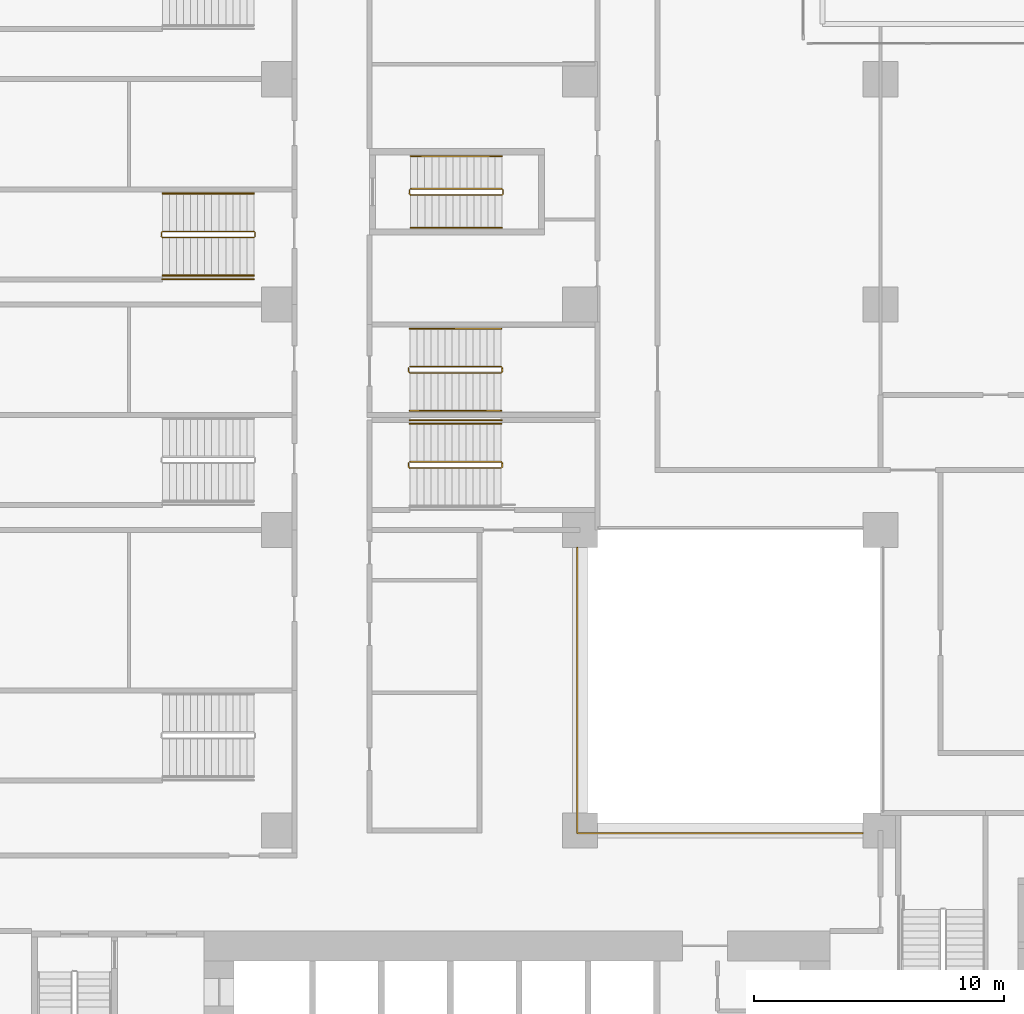
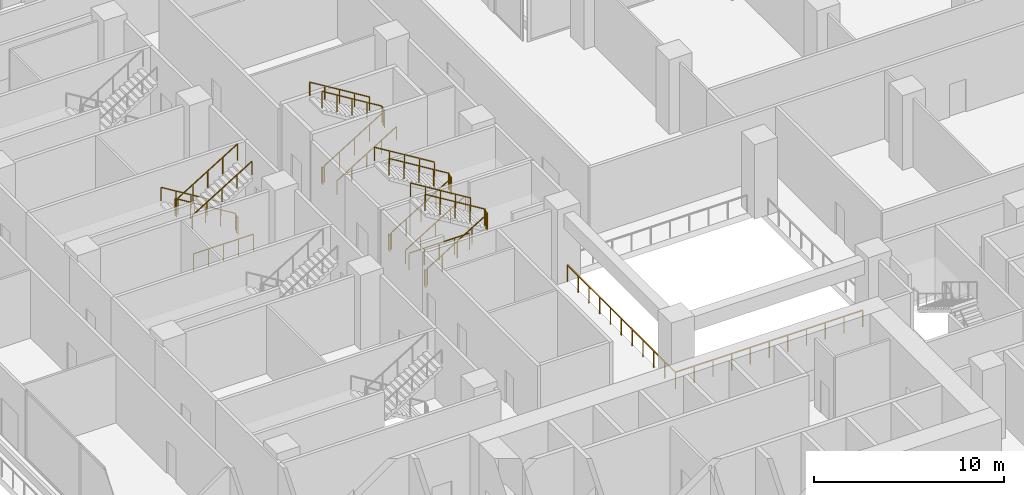
# One storey, part 24 of 26: 14 railings.
"""IFC4 building model written with IfcOpenShell, lengths in metres."""

from ifc_helpers import new_model, si_unit, direction, frame, origin, origin_2d, place, context, subcontext, project, spatial, rectangle, extrude, material, type_object, element, save


model = new_model("IFC4")

# Units and contexts
model_context = context("Model", 3, precision=1e-05, world=origin(), true_north=direction((0.0, 1.0)))
body_context = subcontext(model_context, "Body", "Model", "MODEL_VIEW")
ifc_project = project(units=[si_unit("LENGTHUNIT", "METRE"), si_unit("AREAUNIT", "SQUARE_METRE"), si_unit("VOLUMEUNIT", "CUBIC_METRE"), si_unit("PLANEANGLEUNIT", "RADIAN"), si_unit("MASSUNIT", "GRAM", prefix="KILO")], contexts=[model_context])

# Site, building, storey
site_placement = place(None, origin())
site = spatial("IfcSite", under=ifc_project, at=site_placement, CompositionType="ELEMENT")
building_placement = place(site_placement, origin())
building = spatial("IfcBuilding", under=site, at=building_placement, Name="Chenar Terraces", CompositionType="ELEMENT")
storey_placement = place(building_placement, frame((0.0, 0.0, 16.800048828125)))
storey = spatial("IfcBuildingStorey", under=building, at=storey_placement, Name="L03", CompositionType="ELEMENT", Elevation=16.800048828125)

# Railings
ifc_material_1 = material(Name="Powder-coated steel", Category="steel")
railing_type_1 = type_object("IfcRailingType", Name="Guard 1100 steel rail with glass infill", PredefinedType="GUARDRAIL", material=ifc_material_1)
railing_1_placement = place(storey_placement, frame((23.89990234375, 35.300048828125, 0.0)))
element("IfcRailing", 1, at=railing_1_placement, inside=storey, type_object=railing_type_1, Name="Guard L03-1", PredefinedType="GUARDRAIL", context=body_context, shape_type="SweptSolid", body=[
    extrude(rectangle(XDim=0.06005859375, YDim=0.06005859375, at=origin_2d()), frame((0.0, 0.0, 1.070068359375), z_axis=(0.0, -1.0, 0.0), x_axis=(1.0, 0.0, 0.0)), (0.0, 0.0, 1.0), 11.400146484375),
    extrude(rectangle(XDim=0.06005859375, YDim=0.06005859375, at=origin_2d()), frame((0.0, -11.400146484375, 1.070068359375), z_axis=(1.0, 0.0, 0.0), x_axis=(0.0, 1.0, 0.0)), (0.0, 0.0, 1.0), 11.400146484375),
    extrude(rectangle(XDim=0.050048828125, YDim=0.050048828125, at=origin_2d()), origin(), (0.0, 0.0, 1.0), 1.0400390625),
    extrude(rectangle(XDim=0.050048828125, YDim=0.050048828125, at=origin_2d()), frame((0.0, -1.14013671875, 0.0)), (0.0, 0.0, 1.0), 1.0400390625),
    extrude(rectangle(XDim=0.050048828125, YDim=0.050048828125, at=origin_2d()), frame((0.0, -2.280029296875, 0.0)), (0.0, 0.0, 1.0), 1.0400390625),
    extrude(rectangle(XDim=0.050048828125, YDim=0.050048828125, at=origin_2d()), frame((0.0, -3.419921875, 0.0)), (0.0, 0.0, 1.0), 1.0400390625),
    extrude(rectangle(XDim=0.050048828125, YDim=0.050048828125, at=origin_2d()), frame((0.0, -4.56005859375, 0.0)), (0.0, 0.0, 1.0), 1.0400390625),
    extrude(rectangle(XDim=0.050048828125, YDim=0.050048828125, at=origin_2d()), frame((0.0, -5.7001953125, 0.0)), (0.0, 0.0, 1.0), 1.0400390625),
    extrude(rectangle(XDim=0.050048828125, YDim=0.050048828125, at=origin_2d()), frame((0.0, -6.840087890625, 0.0)), (0.0, 0.0, 1.0), 1.0400390625),
    extrude(rectangle(XDim=0.050048828125, YDim=0.050048828125, at=origin_2d()), frame((0.0, -7.97998046875, 0.0)), (0.0, 0.0, 1.0), 1.0400390625),
    extrude(rectangle(XDim=0.050048828125, YDim=0.050048828125, at=origin_2d()), frame((0.0, -9.1201171875, 0.0)), (0.0, 0.0, 1.0), 1.0400390625),
    extrude(rectangle(XDim=0.050048828125, YDim=0.050048828125, at=origin_2d()), frame((0.0, -10.26025390625, 0.0)), (0.0, 0.0, 1.0), 1.0400390625),
    extrude(rectangle(XDim=0.050048828125, YDim=0.050048828125, at=origin_2d()), frame((0.0, -11.400146484375, 0.0)), (0.0, 0.0, 1.0), 1.0400390625),
    extrude(rectangle(XDim=0.050048828125, YDim=0.050048828125, at=origin_2d()), frame((1.14013671875, -11.400146484375, 0.0)), (0.0, 0.0, 1.0), 1.0400390625),
    extrude(rectangle(XDim=0.050048828125, YDim=0.050048828125, at=origin_2d()), frame((2.280029296875, -11.400146484375, 0.0)), (0.0, 0.0, 1.0), 1.0400390625),
    extrude(rectangle(XDim=0.050048828125, YDim=0.050048828125, at=origin_2d()), frame((3.419921875, -11.400146484375, 0.0)), (0.0, 0.0, 1.0), 1.0400390625),
    extrude(rectangle(XDim=0.050048828125, YDim=0.050048828125, at=origin_2d()), frame((4.56005859375, -11.400146484375, 0.0)), (0.0, 0.0, 1.0), 1.0400390625),
    extrude(rectangle(XDim=0.050048828125, YDim=0.050048828125, at=origin_2d()), frame((5.7001953125, -11.400146484375, 0.0)), (0.0, 0.0, 1.0), 1.0400390625),
    extrude(rectangle(XDim=0.050048828125, YDim=0.050048828125, at=origin_2d()), frame((6.840087890625, -11.400146484375, 0.0)), (0.0, 0.0, 1.0), 1.0400390625),
    extrude(rectangle(XDim=0.050048828125, YDim=0.050048828125, at=origin_2d()), frame((7.97998046875, -11.400146484375, 0.0)), (0.0, 0.0, 1.0), 1.0400390625),
    extrude(rectangle(XDim=0.050048828125, YDim=0.050048828125, at=origin_2d()), frame((9.1201171875, -11.400146484375, 0.0)), (0.0, 0.0, 1.0), 1.0400390625),
    extrude(rectangle(XDim=0.050048828125, YDim=0.050048828125, at=origin_2d()), frame((10.26025390625, -11.400146484375, 0.0)), (0.0, 0.0, 1.0), 1.0400390625),
    extrude(rectangle(XDim=0.050048828125, YDim=0.050048828125, at=origin_2d()), frame((11.400146484375, -11.400146484375, 0.0)), (0.0, 0.0, 1.0), 1.0400390625),
])
ifc_material_2 = material(Name="Powder-coated steel", Category="steel")
railing_type_2 = type_object("IfcRailingType", Name="Stair guard 1100", PredefinedType="GUARDRAIL", material=ifc_material_2)
railing_2_placement = place(storey_placement, frame((17.25, 49.625, 4.800048828125)))
element("IfcRailing", 2, at=railing_2_placement, inside=storey, type_object=railing_type_2, Name="L03 ST4 stair guard 1", PredefinedType="GUARDRAIL", context=body_context, shape_type="SweptSolid", body=[
    extrude(rectangle(XDim=0.048095703125, YDim=0.048095703125, at=origin_2d()), frame((0.0, 0.0, 1.076171875), z_axis=(0.852824790078, 0.0, -0.522197163366), x_axis=(0.0, 1.0, 0.0)), (0.0, 0.0, 1.0), 4.26806640625),
    extrude(rectangle(XDim=0.048095703125, YDim=0.048095703125, at=origin_2d()), frame((3.639892578125, 0.0, -1.15283203125), z_axis=(0.269911200495, -0.269911200495, -0.924281281696), x_axis=(0.707106781187, 0.707106781187, 0.0)), (0.0, 0.0, 1.0), 0.185546875),
    extrude(rectangle(XDim=0.048095703125, YDim=0.048095703125, at=origin_2d()), frame((3.68994140625, -0.050048828125, -1.32421875), z_axis=(0.0, -1.0, 0.0), x_axis=(1.0, 0.0, 0.0)), (0.0, 0.0, 1.0), 0.14990234375),
    extrude(rectangle(XDim=0.048095703125, YDim=0.048095703125, at=origin_2d()), frame((3.68994140625, -0.199951171875, -1.32421875), z_axis=(-0.707106781187, -0.707106781187, 0.0), x_axis=(0.707106781187, -0.707106781187, 0.0)), (0.0, 0.0, 1.0), 0.07080078125),
    extrude(rectangle(XDim=0.048095703125, YDim=0.048095703125, at=origin_2d()), frame((3.639892578125, -0.25, -1.32421875), z_axis=(-0.852850264322, 0.0, -0.5221555579), x_axis=(0.0, -1.0, 0.0)), (0.0, 0.0, 1.0), 4.267822265625),
    extrude(rectangle(XDim=0.048095703125, YDim=0.048095703125, at=origin_2d()), frame((0.0, -0.25, -3.552734375), z_axis=(-0.269911200495, 0.269911200495, -0.924281281696), x_axis=(-0.707106781187, -0.707106781187, 0.0)), (0.0, 0.0, 1.0), 0.185546875),
    extrude(rectangle(XDim=0.048095703125, YDim=0.048095703125, at=origin_2d()), frame((-0.050048828125, -0.199951171875, -3.72412109375), z_axis=(0.0, 1.0, 0.0), x_axis=(-1.0, 0.0, 0.0)), (0.0, 0.0, 1.0), 0.14990234375),
    extrude(rectangle(XDim=0.0419921875, YDim=0.0419921875, at=origin_2d()), origin(), (0.0, 0.0, 1.0), 1.052001953125),
    extrude(rectangle(XDim=0.0419921875, YDim=0.0419921875, at=origin_2d()), frame((0.909912109375, 0.0, -0.55712890625)), (0.0, 0.0, 1.0), 1.052001953125),
    extrude(rectangle(XDim=0.0419921875, YDim=0.0419921875, at=origin_2d()), frame((1.81982421875, 0.0, -1.1142578125)), (0.0, 0.0, 1.0), 1.052001953125),
    extrude(rectangle(XDim=0.0419921875, YDim=0.0419921875, at=origin_2d()), frame((2.72998046875, 0.0, -1.671630859375)), (0.0, 0.0, 1.0), 1.052001953125),
    extrude(rectangle(XDim=0.0419921875, YDim=0.0419921875, at=origin_2d()), frame((3.639892578125, 0.0, -2.228759765625)), (0.0, 0.0, 1.0), 1.052001953125),
    extrude(rectangle(XDim=0.0419921875, YDim=0.0419921875, at=origin_2d()), frame((3.68994140625, -0.050048828125, -2.400146484375)), (0.0, 0.0, 1.0), 1.052001953125),
    extrude(rectangle(XDim=0.0419921875, YDim=0.0419921875, at=origin_2d()), frame((3.68994140625, -0.199951171875, -2.400146484375)), (0.0, 0.0, 1.0), 1.052001953125),
    extrude(rectangle(XDim=0.0419921875, YDim=0.0419921875, at=origin_2d()), frame((3.639892578125, -0.25, -2.400146484375)), (0.0, 0.0, 1.0), 1.052001953125),
    extrude(rectangle(XDim=0.0419921875, YDim=0.0419921875, at=origin_2d()), frame((2.72998046875, -0.25, -2.957275390625)), (0.0, 0.0, 1.0), 1.052001953125),
    extrude(rectangle(XDim=0.0419921875, YDim=0.0419921875, at=origin_2d()), frame((1.81982421875, -0.25, -3.514404296875)), (0.0, 0.0, 1.0), 1.052001953125),
    extrude(rectangle(XDim=0.0419921875, YDim=0.0419921875, at=origin_2d()), frame((0.909912109375, -0.25, -4.071533203125)), (0.0, 0.0, 1.0), 1.052001953125),
    extrude(rectangle(XDim=0.0419921875, YDim=0.0419921875, at=origin_2d()), frame((0.0, -0.25, -4.628662109375)), (0.0, 0.0, 1.0), 1.052001953125),
    extrude(rectangle(XDim=0.0419921875, YDim=0.0419921875, at=origin_2d()), frame((-0.050048828125, -0.199951171875, -4.800048828125)), (0.0, 0.0, 1.0), 1.052001953125),
    extrude(rectangle(XDim=0.0419921875, YDim=0.0419921875, at=origin_2d()), frame((-0.050048828125, -0.050048828125, -4.800048828125)), (0.0, 0.0, 1.0), 1.052001953125),
])
railing_3_placement = place(storey_placement, frame((10.985107421875, 47.675048828125, 4.800048828125)))
element("IfcRailing", 3, at=railing_3_placement, inside=storey, type_object=railing_type_2, Name="L03 PS4 stair guard 1", PredefinedType="GUARDRAIL", context=body_context, shape_type="SweptSolid", body=[
    extrude(rectangle(XDim=0.048095703125, YDim=0.048095703125, at=origin_2d()), frame((0.0, 0.0, 1.076171875), z_axis=(-0.852840387347, 0.0, -0.522171689878), x_axis=(0.0, -1.0, 0.0)), (0.0, 0.0, 1.0), 4.268310546875),
    extrude(rectangle(XDim=0.048095703125, YDim=0.048095703125, at=origin_2d()), frame((-3.64013671875, 0.0, -1.15283203125), z_axis=(-0.269911200495, 0.269911200495, -0.924281281696), x_axis=(-0.707106781187, -0.707106781187, 0.0)), (0.0, 0.0, 1.0), 0.185546875),
    extrude(rectangle(XDim=0.048095703125, YDim=0.048095703125, at=origin_2d()), frame((-3.690185546875, 0.050048828125, -1.32421875), z_axis=(0.0, 1.0, 0.0), x_axis=(-1.0, 0.0, 0.0)), (0.0, 0.0, 1.0), 0.14990234375),
    extrude(rectangle(XDim=0.048095703125, YDim=0.048095703125, at=origin_2d()), frame((-3.690185546875, 0.199951171875, -1.32421875), z_axis=(0.707106781187, 0.707106781187, 0.0), x_axis=(-0.707106781187, 0.707106781187, 0.0)), (0.0, 0.0, 1.0), 0.07080078125),
    extrude(rectangle(XDim=0.048095703125, YDim=0.048095703125, at=origin_2d()), frame((-3.64013671875, 0.25, -1.32421875), z_axis=(0.852865859571, 0.0, -0.52213008492), x_axis=(0.0, 1.0, 0.0)), (0.0, 0.0, 1.0), 4.26806640625),
    extrude(rectangle(XDim=0.048095703125, YDim=0.048095703125, at=origin_2d()), frame((0.0, 0.25, -3.552734375), z_axis=(0.268689830376, -0.270006937388, -0.924609122178), x_axis=(0.708833529934, 0.705375805398, 0.0)), (0.0, 0.0, 1.0), 0.185302734375),
    extrude(rectangle(XDim=0.048095703125, YDim=0.048095703125, at=origin_2d()), frame((0.0498046875, 0.199951171875, -3.72412109375), z_axis=(0.0, -1.0, 0.0), x_axis=(1.0, 0.0, 0.0)), (0.0, 0.0, 1.0), 0.14990234375),
    extrude(rectangle(XDim=0.0419921875, YDim=0.0419921875, at=origin_2d()), origin(), (0.0, 0.0, 1.0), 1.052001953125),
    extrude(rectangle(XDim=0.0419921875, YDim=0.0419921875, at=origin_2d()), frame((-0.91015625, 0.0, -0.55712890625)), (0.0, 0.0, 1.0), 1.052001953125),
    extrude(rectangle(XDim=0.0419921875, YDim=0.0419921875, at=origin_2d()), frame((-1.820068359375, 0.0, -1.1142578125)), (0.0, 0.0, 1.0), 1.052001953125),
    extrude(rectangle(XDim=0.0419921875, YDim=0.0419921875, at=origin_2d()), frame((-2.72998046875, 0.0, -1.671630859375)), (0.0, 0.0, 1.0), 1.052001953125),
    extrude(rectangle(XDim=0.0419921875, YDim=0.0419921875, at=origin_2d()), frame((-3.64013671875, 0.0, -2.228759765625)), (0.0, 0.0, 1.0), 1.052001953125),
    extrude(rectangle(XDim=0.0419921875, YDim=0.0419921875, at=origin_2d()), frame((-3.690185546875, 0.050048828125, -2.400146484375)), (0.0, 0.0, 1.0), 1.052001953125),
    extrude(rectangle(XDim=0.0419921875, YDim=0.0419921875, at=origin_2d()), frame((-3.690185546875, 0.199951171875, -2.400146484375)), (0.0, 0.0, 1.0), 1.052001953125),
    extrude(rectangle(XDim=0.0419921875, YDim=0.0419921875, at=origin_2d()), frame((-3.64013671875, 0.25, -2.400146484375)), (0.0, 0.0, 1.0), 1.052001953125),
    extrude(rectangle(XDim=0.0419921875, YDim=0.0419921875, at=origin_2d()), frame((-2.72998046875, 0.25, -2.957275390625)), (0.0, 0.0, 1.0), 1.052001953125),
    extrude(rectangle(XDim=0.0419921875, YDim=0.0419921875, at=origin_2d()), frame((-1.820068359375, 0.25, -3.514404296875)), (0.0, 0.0, 1.0), 1.052001953125),
    extrude(rectangle(XDim=0.0419921875, YDim=0.0419921875, at=origin_2d()), frame((-0.91015625, 0.25, -4.071533203125)), (0.0, 0.0, 1.0), 1.052001953125),
    extrude(rectangle(XDim=0.0419921875, YDim=0.0419921875, at=origin_2d()), frame((0.0, 0.25, -4.628662109375)), (0.0, 0.0, 1.0), 1.052001953125),
    extrude(rectangle(XDim=0.0419921875, YDim=0.0419921875, at=origin_2d()), frame((0.0498046875, 0.199951171875, -4.800048828125)), (0.0, 0.0, 1.0), 1.052001953125),
    extrude(rectangle(XDim=0.0419921875, YDim=0.0419921875, at=origin_2d()), frame((0.0498046875, 0.050048828125, -4.800048828125)), (0.0, 0.0, 1.0), 1.052001953125),
])
railing_4_placement = place(storey_placement, frame((17.215087890625, 38.72509765625, 4.800048828125)))
element("IfcRailing", 4, at=railing_4_placement, inside=storey, type_object=railing_type_2, Name="L03 PS7 stair guard 1", PredefinedType="GUARDRAIL", context=body_context, shape_type="SweptSolid", body=[
    extrude(rectangle(XDim=0.048095703125, YDim=0.048095703125, at=origin_2d()), frame((0.0, 0.0, 1.076171875), z_axis=(0.852824790078, 0.0, -0.522197163366), x_axis=(0.0, 1.0, 0.0)), (0.0, 0.0, 1.0), 4.26806640625),
    extrude(rectangle(XDim=0.048095703125, YDim=0.048095703125, at=origin_2d()), frame((3.639892578125, 0.0, -1.15283203125), z_axis=(0.269911200495, -0.269911200495, -0.924281281696), x_axis=(0.707106781187, 0.707106781187, 0.0)), (0.0, 0.0, 1.0), 0.185546875),
    extrude(rectangle(XDim=0.048095703125, YDim=0.048095703125, at=origin_2d()), frame((3.68994140625, -0.050048828125, -1.32421875), z_axis=(0.0, -1.0, 0.0), x_axis=(1.0, 0.0, 0.0)), (0.0, 0.0, 1.0), 0.150146484375),
    extrude(rectangle(XDim=0.048095703125, YDim=0.048095703125, at=origin_2d()), frame((3.68994140625, -0.2001953125, -1.32421875), z_axis=(-0.708833529934, -0.705375805398, 0.0), x_axis=(0.705375805398, -0.708833529934, 0.0)), (0.0, 0.0, 1.0), 0.070556640625),
    extrude(rectangle(XDim=0.048095703125, YDim=0.048095703125, at=origin_2d()), frame((3.639892578125, -0.25, -1.32421875), z_axis=(-0.852850264322, 0.0, -0.5221555579), x_axis=(0.0, -1.0, 0.0)), (0.0, 0.0, 1.0), 4.267822265625),
    extrude(rectangle(XDim=0.048095703125, YDim=0.048095703125, at=origin_2d()), frame((0.0, -0.25, -3.552734375), z_axis=(-0.270006937388, 0.268689830376, -0.924609122178), x_axis=(-0.705375805398, -0.708833529934, 0.0)), (0.0, 0.0, 1.0), 0.185302734375),
    extrude(rectangle(XDim=0.048095703125, YDim=0.048095703125, at=origin_2d()), frame((-0.050048828125, -0.2001953125, -3.72412109375), z_axis=(0.0, 1.0, 0.0), x_axis=(-1.0, 0.0, 0.0)), (0.0, 0.0, 1.0), 0.150146484375),
    extrude(rectangle(XDim=0.0419921875, YDim=0.0419921875, at=origin_2d()), origin(), (0.0, 0.0, 1.0), 1.052001953125),
    extrude(rectangle(XDim=0.0419921875, YDim=0.0419921875, at=origin_2d()), frame((0.909912109375, 0.0, -0.55712890625)), (0.0, 0.0, 1.0), 1.052001953125),
    extrude(rectangle(XDim=0.0419921875, YDim=0.0419921875, at=origin_2d()), frame((1.81982421875, 0.0, -1.1142578125)), (0.0, 0.0, 1.0), 1.052001953125),
    extrude(rectangle(XDim=0.0419921875, YDim=0.0419921875, at=origin_2d()), frame((2.72998046875, 0.0, -1.671630859375)), (0.0, 0.0, 1.0), 1.052001953125),
    extrude(rectangle(XDim=0.0419921875, YDim=0.0419921875, at=origin_2d()), frame((3.639892578125, 0.0, -2.228759765625)), (0.0, 0.0, 1.0), 1.052001953125),
    extrude(rectangle(XDim=0.0419921875, YDim=0.0419921875, at=origin_2d()), frame((3.68994140625, -0.050048828125, -2.400146484375)), (0.0, 0.0, 1.0), 1.052001953125),
    extrude(rectangle(XDim=0.0419921875, YDim=0.0419921875, at=origin_2d()), frame((3.68994140625, -0.2001953125, -2.400146484375)), (0.0, 0.0, 1.0), 1.052001953125),
    extrude(rectangle(XDim=0.0419921875, YDim=0.0419921875, at=origin_2d()), frame((3.639892578125, -0.25, -2.400146484375)), (0.0, 0.0, 1.0), 1.052001953125),
    extrude(rectangle(XDim=0.0419921875, YDim=0.0419921875, at=origin_2d()), frame((2.72998046875, -0.25, -2.957275390625)), (0.0, 0.0, 1.0), 1.052001953125),
    extrude(rectangle(XDim=0.0419921875, YDim=0.0419921875, at=origin_2d()), frame((1.81982421875, -0.25, -3.514404296875)), (0.0, 0.0, 1.0), 1.052001953125),
    extrude(rectangle(XDim=0.0419921875, YDim=0.0419921875, at=origin_2d()), frame((0.909912109375, -0.25, -4.071533203125)), (0.0, 0.0, 1.0), 1.052001953125),
    extrude(rectangle(XDim=0.0419921875, YDim=0.0419921875, at=origin_2d()), frame((0.0, -0.25, -4.628662109375)), (0.0, 0.0, 1.0), 1.052001953125),
    extrude(rectangle(XDim=0.0419921875, YDim=0.0419921875, at=origin_2d()), frame((-0.050048828125, -0.2001953125, -4.800048828125)), (0.0, 0.0, 1.0), 1.052001953125),
    extrude(rectangle(XDim=0.0419921875, YDim=0.0419921875, at=origin_2d()), frame((-0.050048828125, -0.050048828125, -4.800048828125)), (0.0, 0.0, 1.0), 1.052001953125),
])
railing_5_placement = place(storey_placement, frame((17.215087890625, 42.52490234375, 4.800048828125)))
element("IfcRailing", 5, at=railing_5_placement, inside=storey, type_object=railing_type_2, Name="L03 PS8 stair guard 1", PredefinedType="GUARDRAIL", context=body_context, shape_type="SweptSolid", body=[
    extrude(rectangle(XDim=0.048095703125, YDim=0.048095703125, at=origin_2d()), frame((0.0, 0.0, 1.076171875), z_axis=(0.852824790078, 0.0, -0.522197163366), x_axis=(0.0, 1.0, 0.0)), (0.0, 0.0, 1.0), 4.26806640625),
    extrude(rectangle(XDim=0.048095703125, YDim=0.048095703125, at=origin_2d()), frame((3.639892578125, 0.0, -1.15283203125), z_axis=(0.270006937388, -0.268689830376, -0.924609122178), x_axis=(0.705375805398, 0.708833529934, 0.0)), (0.0, 0.0, 1.0), 0.185302734375),
    extrude(rectangle(XDim=0.048095703125, YDim=0.048095703125, at=origin_2d()), frame((3.68994140625, -0.0498046875, -1.32421875), z_axis=(0.0, -1.0, 0.0), x_axis=(1.0, 0.0, 0.0)), (0.0, 0.0, 1.0), 0.150146484375),
    extrude(rectangle(XDim=0.048095703125, YDim=0.048095703125, at=origin_2d()), frame((3.68994140625, -0.199951171875, -1.32421875), z_axis=(-0.707106781187, -0.707106781187, 0.0), x_axis=(0.707106781187, -0.707106781187, 0.0)), (0.0, 0.0, 1.0), 0.07080078125),
    extrude(rectangle(XDim=0.048095703125, YDim=0.048095703125, at=origin_2d()), frame((3.639892578125, -0.25, -1.32421875), z_axis=(-0.852850264322, 0.0, -0.5221555579), x_axis=(0.0, -1.0, 0.0)), (0.0, 0.0, 1.0), 4.267822265625),
    extrude(rectangle(XDim=0.048095703125, YDim=0.048095703125, at=origin_2d()), frame((0.0, -0.25, -3.552734375), z_axis=(-0.269911200495, 0.269911200495, -0.924281281696), x_axis=(-0.707106781187, -0.707106781187, 0.0)), (0.0, 0.0, 1.0), 0.185546875),
    extrude(rectangle(XDim=0.048095703125, YDim=0.048095703125, at=origin_2d()), frame((-0.050048828125, -0.199951171875, -3.72412109375), z_axis=(0.0, 1.0, 0.0), x_axis=(-1.0, 0.0, 0.0)), (0.0, 0.0, 1.0), 0.150146484375),
    extrude(rectangle(XDim=0.0419921875, YDim=0.0419921875, at=origin_2d()), origin(), (0.0, 0.0, 1.0), 1.052001953125),
    extrude(rectangle(XDim=0.0419921875, YDim=0.0419921875, at=origin_2d()), frame((0.909912109375, 0.0, -0.55712890625)), (0.0, 0.0, 1.0), 1.052001953125),
    extrude(rectangle(XDim=0.0419921875, YDim=0.0419921875, at=origin_2d()), frame((1.81982421875, 0.0, -1.1142578125)), (0.0, 0.0, 1.0), 1.052001953125),
    extrude(rectangle(XDim=0.0419921875, YDim=0.0419921875, at=origin_2d()), frame((2.72998046875, 0.0, -1.671630859375)), (0.0, 0.0, 1.0), 1.052001953125),
    extrude(rectangle(XDim=0.0419921875, YDim=0.0419921875, at=origin_2d()), frame((3.639892578125, 0.0, -2.228759765625)), (0.0, 0.0, 1.0), 1.052001953125),
    extrude(rectangle(XDim=0.0419921875, YDim=0.0419921875, at=origin_2d()), frame((3.68994140625, -0.0498046875, -2.400146484375)), (0.0, 0.0, 1.0), 1.052001953125),
    extrude(rectangle(XDim=0.0419921875, YDim=0.0419921875, at=origin_2d()), frame((3.68994140625, -0.199951171875, -2.400146484375)), (0.0, 0.0, 1.0), 1.052001953125),
    extrude(rectangle(XDim=0.0419921875, YDim=0.0419921875, at=origin_2d()), frame((3.639892578125, -0.25, -2.400146484375)), (0.0, 0.0, 1.0), 1.052001953125),
    extrude(rectangle(XDim=0.0419921875, YDim=0.0419921875, at=origin_2d()), frame((2.72998046875, -0.25, -2.957275390625)), (0.0, 0.0, 1.0), 1.052001953125),
    extrude(rectangle(XDim=0.0419921875, YDim=0.0419921875, at=origin_2d()), frame((1.81982421875, -0.25, -3.514404296875)), (0.0, 0.0, 1.0), 1.052001953125),
    extrude(rectangle(XDim=0.0419921875, YDim=0.0419921875, at=origin_2d()), frame((0.909912109375, -0.25, -4.071533203125)), (0.0, 0.0, 1.0), 1.052001953125),
    extrude(rectangle(XDim=0.0419921875, YDim=0.0419921875, at=origin_2d()), frame((0.0, -0.25, -4.628662109375)), (0.0, 0.0, 1.0), 1.052001953125),
    extrude(rectangle(XDim=0.0419921875, YDim=0.0419921875, at=origin_2d()), frame((-0.050048828125, -0.199951171875, -4.800048828125)), (0.0, 0.0, 1.0), 1.052001953125),
    extrude(rectangle(XDim=0.0419921875, YDim=0.0419921875, at=origin_2d()), frame((-0.050048828125, -0.0498046875, -4.800048828125)), (0.0, 0.0, 1.0), 1.052001953125),
])
railing_6_placement = place(storey_placement, frame((7.32421875, 46.010009765625, 0.0)))
element("IfcRailing", 6, at=railing_6_placement, inside=storey, type_object=railing_type_2, Name="L03 PS4 stair guard 101", PredefinedType="GUARDRAIL", context=body_context, shape_type="SweptSolid", body=[
    extrude(rectangle(XDim=0.048095703125, YDim=0.048095703125, at=origin_2d()), frame((0.0, 0.0, 1.076171875), z_axis=(1.0, 0.0, 0.0), x_axis=(0.0, 1.0, 0.0)), (0.0, 0.0, 1.0), 3.660888671875),
    extrude(rectangle(XDim=0.0419921875, YDim=0.0419921875, at=origin_2d()), origin(), (0.0, 0.0, 1.0), 1.052001953125),
    extrude(rectangle(XDim=0.0419921875, YDim=0.0419921875, at=origin_2d()), frame((0.915283203125, 0.0, 0.0)), (0.0, 0.0, 1.0), 1.052001953125),
    extrude(rectangle(XDim=0.0419921875, YDim=0.0419921875, at=origin_2d()), frame((1.83056640625, 0.0, 0.0)), (0.0, 0.0, 1.0), 1.052001953125),
    extrude(rectangle(XDim=0.0419921875, YDim=0.0419921875, at=origin_2d()), frame((2.74560546875, 0.0, 0.0)), (0.0, 0.0, 1.0), 1.052001953125),
    extrude(rectangle(XDim=0.0419921875, YDim=0.0419921875, at=origin_2d()), frame((3.660888671875, 0.0, 0.0)), (0.0, 0.0, 1.0), 1.052001953125),
])
railing_7_placement = place(storey_placement, frame((20.8818359375, 40.389892578125, 0.0)))
element("IfcRailing", 7, at=railing_7_placement, inside=storey, type_object=railing_type_2, Name="L03 PS7 stair guard 102", PredefinedType="GUARDRAIL", context=body_context, shape_type="SweptSolid", body=[
    extrude(rectangle(XDim=0.048095703125, YDim=0.048095703125, at=origin_2d()), frame((0.0, 0.0, 1.076171875), z_axis=(-1.0, 0.0, 0.0), x_axis=(0.0, -1.0, 0.0)), (0.0, 0.0, 1.0), 3.666748046875),
    extrude(rectangle(XDim=0.0419921875, YDim=0.0419921875, at=origin_2d()), origin(), (0.0, 0.0, 1.0), 1.052001953125),
    extrude(rectangle(XDim=0.0419921875, YDim=0.0419921875, at=origin_2d()), frame((-0.916748046875, 0.0, 0.0)), (0.0, 0.0, 1.0), 1.052001953125),
    extrude(rectangle(XDim=0.0419921875, YDim=0.0419921875, at=origin_2d()), frame((-1.83349609375, 0.0, 0.0)), (0.0, 0.0, 1.0), 1.052001953125),
    extrude(rectangle(XDim=0.0419921875, YDim=0.0419921875, at=origin_2d()), frame((-2.75, 0.0, 0.0)), (0.0, 0.0, 1.0), 1.052001953125),
    extrude(rectangle(XDim=0.0419921875, YDim=0.0419921875, at=origin_2d()), frame((-3.666748046875, 0.0, 0.0)), (0.0, 0.0, 1.0), 1.052001953125),
])
ifc_material_3 = material(Name="Powder-coated steel", Category="steel")
railing_type_3 = type_object("IfcRailingType", Name="Stair handrail 900", PredefinedType="HANDRAIL", material=ifc_material_3)
railing_8_placement = place(storey_placement, frame((17.25, 48.074951171875, 0.17138671875)))
element("IfcRailing", 8, at=railing_8_placement, inside=storey, type_object=railing_type_3, Name="L03 ST4 stair handrail 1", PredefinedType="HANDRAIL", context=body_context, shape_type="SweptSolid", body=[
    extrude(rectangle(XDim=0.048095703125, YDim=0.048095703125, at=origin_2d()), frame((0.0, 0.0, 0.8759765625), z_axis=(0.852850264322, 0.0, 0.5221555579), x_axis=(0.0, 1.0, 0.0)), (0.0, 0.0, 1.0), 4.267822265625),
    extrude(rectangle(XDim=0.0419921875, YDim=0.0419921875, at=origin_2d()), origin(), (0.0, 0.0, 1.0), 0.851806640625),
    extrude(rectangle(XDim=0.0419921875, YDim=0.0419921875, at=origin_2d()), frame((0.909912109375, 0.0, 0.55712890625)), (0.0, 0.0, 1.0), 0.851806640625),
    extrude(rectangle(XDim=0.0419921875, YDim=0.0419921875, at=origin_2d()), frame((1.81982421875, 0.0, 1.1142578125)), (0.0, 0.0, 1.0), 0.851806640625),
    extrude(rectangle(XDim=0.0419921875, YDim=0.0419921875, at=origin_2d()), frame((2.72998046875, 0.0, 1.67138671875)), (0.0, 0.0, 1.0), 0.851806640625),
    extrude(rectangle(XDim=0.0419921875, YDim=0.0419921875, at=origin_2d()), frame((3.639892578125, 0.0, 2.228515625)), (0.0, 0.0, 1.0), 0.851806640625),
])
railing_9_placement = place(storey_placement, frame((20.889892578125, 50.925048828125, 2.5712890625)))
element("IfcRailing", 9, at=railing_9_placement, inside=storey, type_object=railing_type_3, Name="L03 ST4 stair handrail 2", PredefinedType="HANDRAIL", context=body_context, shape_type="SweptSolid", body=[
    extrude(rectangle(XDim=0.048095703125, YDim=0.048095703125, at=origin_2d()), frame((0.0, 0.0, 0.8759765625), z_axis=(-0.852824790078, 0.0, 0.522197163366), x_axis=(0.0, -1.0, 0.0)), (0.0, 0.0, 1.0), 4.26806640625),
    extrude(rectangle(XDim=0.0419921875, YDim=0.0419921875, at=origin_2d()), origin(), (0.0, 0.0, 1.0), 0.851806640625),
    extrude(rectangle(XDim=0.0419921875, YDim=0.0419921875, at=origin_2d()), frame((-0.909912109375, 0.0, 0.55712890625)), (0.0, 0.0, 1.0), 0.851806640625),
    extrude(rectangle(XDim=0.0419921875, YDim=0.0419921875, at=origin_2d()), frame((-1.81982421875, 0.0, 1.1142578125)), (0.0, 0.0, 1.0), 0.851806640625),
    extrude(rectangle(XDim=0.0419921875, YDim=0.0419921875, at=origin_2d()), frame((-2.72998046875, 0.0, 1.671630859375)), (0.0, 0.0, 1.0), 0.851806640625),
    extrude(rectangle(XDim=0.0419921875, YDim=0.0419921875, at=origin_2d()), frame((-3.639892578125, 0.0, 2.228759765625)), (0.0, 0.0, 1.0), 0.851806640625),
])
railing_10_placement = place(storey_placement, frame((10.985107421875, 49.43994140625, 0.17138671875)))
element("IfcRailing", 10, at=railing_10_placement, inside=storey, type_object=railing_type_3, Name="L03 PS4 stair handrail 1", PredefinedType="HANDRAIL", context=body_context, shape_type="SweptSolid", body=[
    extrude(rectangle(XDim=0.048095703125, YDim=0.048095703125, at=origin_2d()), frame((0.0, 0.0, 0.8759765625), z_axis=(-0.852865859571, 0.0, 0.52213008492), x_axis=(0.0, -1.0, 0.0)), (0.0, 0.0, 1.0), 4.26806640625),
    extrude(rectangle(XDim=0.0419921875, YDim=0.0419921875, at=origin_2d()), origin(), (0.0, 0.0, 1.0), 0.851806640625),
    extrude(rectangle(XDim=0.0419921875, YDim=0.0419921875, at=origin_2d()), frame((-0.91015625, 0.0, 0.55712890625)), (0.0, 0.0, 1.0), 0.851806640625),
    extrude(rectangle(XDim=0.0419921875, YDim=0.0419921875, at=origin_2d()), frame((-1.820068359375, 0.0, 1.1142578125)), (0.0, 0.0, 1.0), 0.851806640625),
    extrude(rectangle(XDim=0.0419921875, YDim=0.0419921875, at=origin_2d()), frame((-2.72998046875, 0.0, 1.67138671875)), (0.0, 0.0, 1.0), 0.851806640625),
    extrude(rectangle(XDim=0.0419921875, YDim=0.0419921875, at=origin_2d()), frame((-3.64013671875, 0.0, 2.228515625)), (0.0, 0.0, 1.0), 0.851806640625),
])
railing_11_placement = place(storey_placement, frame((7.344970703125, 46.159912109375, 2.5712890625)))
element("IfcRailing", 11, at=railing_11_placement, inside=storey, type_object=railing_type_3, Name="L03 PS4 stair handrail 2", PredefinedType="HANDRAIL", context=body_context, shape_type="SweptSolid", body=[
    extrude(rectangle(XDim=0.048095703125, YDim=0.048095703125, at=origin_2d()), frame((0.0, 0.0, 0.8759765625), z_axis=(0.852840387347, 0.0, 0.522171689878), x_axis=(0.0, 1.0, 0.0)), (0.0, 0.0, 1.0), 4.268310546875),
    extrude(rectangle(XDim=0.0419921875, YDim=0.0419921875, at=origin_2d()), origin(), (0.0, 0.0, 1.0), 0.851806640625),
    extrude(rectangle(XDim=0.0419921875, YDim=0.0419921875, at=origin_2d()), frame((0.91015625, 0.0, 0.55712890625)), (0.0, 0.0, 1.0), 0.851806640625),
    extrude(rectangle(XDim=0.0419921875, YDim=0.0419921875, at=origin_2d()), frame((1.820068359375, 0.0, 1.1142578125)), (0.0, 0.0, 1.0), 0.851806640625),
    extrude(rectangle(XDim=0.0419921875, YDim=0.0419921875, at=origin_2d()), frame((2.72998046875, 0.0, 1.671630859375)), (0.0, 0.0, 1.0), 0.851806640625),
    extrude(rectangle(XDim=0.0419921875, YDim=0.0419921875, at=origin_2d()), frame((3.64013671875, 0.0, 2.228759765625)), (0.0, 0.0, 1.0), 0.851806640625),
])
railing_12_placement = place(storey_placement, frame((20.85498046875, 40.239990234375, 2.5712890625)))
element("IfcRailing", 12, at=railing_12_placement, inside=storey, type_object=railing_type_3, Name="L03 PS7 stair handrail 2", PredefinedType="HANDRAIL", context=body_context, shape_type="SweptSolid", body=[
    extrude(rectangle(XDim=0.048095703125, YDim=0.048095703125, at=origin_2d()), frame((0.0, 0.0, 0.8759765625), z_axis=(-0.852824790078, 0.0, 0.522197163366), x_axis=(0.0, -1.0, 0.0)), (0.0, 0.0, 1.0), 4.26806640625),
    extrude(rectangle(XDim=0.0419921875, YDim=0.0419921875, at=origin_2d()), origin(), (0.0, 0.0, 1.0), 0.851806640625),
    extrude(rectangle(XDim=0.0419921875, YDim=0.0419921875, at=origin_2d()), frame((-0.909912109375, 0.0, 0.55712890625)), (0.0, 0.0, 1.0), 0.851806640625),
    extrude(rectangle(XDim=0.0419921875, YDim=0.0419921875, at=origin_2d()), frame((-1.81982421875, 0.0, 1.1142578125)), (0.0, 0.0, 1.0), 0.851806640625),
    extrude(rectangle(XDim=0.0419921875, YDim=0.0419921875, at=origin_2d()), frame((-2.72998046875, 0.0, 1.671630859375)), (0.0, 0.0, 1.0), 0.851806640625),
    extrude(rectangle(XDim=0.0419921875, YDim=0.0419921875, at=origin_2d()), frame((-3.639892578125, 0.0, 2.228759765625)), (0.0, 0.0, 1.0), 0.851806640625),
])
railing_13_placement = place(storey_placement, frame((17.215087890625, 40.760009765625, 0.17138671875)))
element("IfcRailing", 13, at=railing_13_placement, inside=storey, type_object=railing_type_3, Name="L03 PS8 stair handrail 1", PredefinedType="HANDRAIL", context=body_context, shape_type="SweptSolid", body=[
    extrude(rectangle(XDim=0.048095703125, YDim=0.048095703125, at=origin_2d()), frame((0.0, 0.0, 0.8759765625), z_axis=(0.852850264322, 0.0, 0.5221555579), x_axis=(0.0, 1.0, 0.0)), (0.0, 0.0, 1.0), 4.267822265625),
    extrude(rectangle(XDim=0.0419921875, YDim=0.0419921875, at=origin_2d()), origin(), (0.0, 0.0, 1.0), 0.851806640625),
    extrude(rectangle(XDim=0.0419921875, YDim=0.0419921875, at=origin_2d()), frame((0.909912109375, 0.0, 0.55712890625)), (0.0, 0.0, 1.0), 0.851806640625),
    extrude(rectangle(XDim=0.0419921875, YDim=0.0419921875, at=origin_2d()), frame((1.81982421875, 0.0, 1.1142578125)), (0.0, 0.0, 1.0), 0.851806640625),
    extrude(rectangle(XDim=0.0419921875, YDim=0.0419921875, at=origin_2d()), frame((2.72998046875, 0.0, 1.67138671875)), (0.0, 0.0, 1.0), 0.851806640625),
    extrude(rectangle(XDim=0.0419921875, YDim=0.0419921875, at=origin_2d()), frame((3.639892578125, 0.0, 2.228515625)), (0.0, 0.0, 1.0), 0.851806640625),
])
railing_14_placement = place(storey_placement, frame((20.85498046875, 44.0400390625, 2.5712890625)))
element("IfcRailing", 14, at=railing_14_placement, inside=storey, type_object=railing_type_3, Name="L03 PS8 stair handrail 2", PredefinedType="HANDRAIL", context=body_context, shape_type="SweptSolid", body=[
    extrude(rectangle(XDim=0.048095703125, YDim=0.048095703125, at=origin_2d()), frame((0.0, 0.0, 0.8759765625), z_axis=(-0.852824790078, 0.0, 0.522197163366), x_axis=(0.0, -1.0, 0.0)), (0.0, 0.0, 1.0), 4.26806640625),
    extrude(rectangle(XDim=0.0419921875, YDim=0.0419921875, at=origin_2d()), origin(), (0.0, 0.0, 1.0), 0.851806640625),
    extrude(rectangle(XDim=0.0419921875, YDim=0.0419921875, at=origin_2d()), frame((-0.909912109375, 0.0, 0.55712890625)), (0.0, 0.0, 1.0), 0.851806640625),
    extrude(rectangle(XDim=0.0419921875, YDim=0.0419921875, at=origin_2d()), frame((-1.81982421875, 0.0, 1.1142578125)), (0.0, 0.0, 1.0), 0.851806640625),
    extrude(rectangle(XDim=0.0419921875, YDim=0.0419921875, at=origin_2d()), frame((-2.72998046875, 0.0, 1.671630859375)), (0.0, 0.0, 1.0), 0.851806640625),
    extrude(rectangle(XDim=0.0419921875, YDim=0.0419921875, at=origin_2d()), frame((-3.639892578125, 0.0, 2.228759765625)), (0.0, 0.0, 1.0), 0.851806640625),
])

save(model, "model.ifc")
